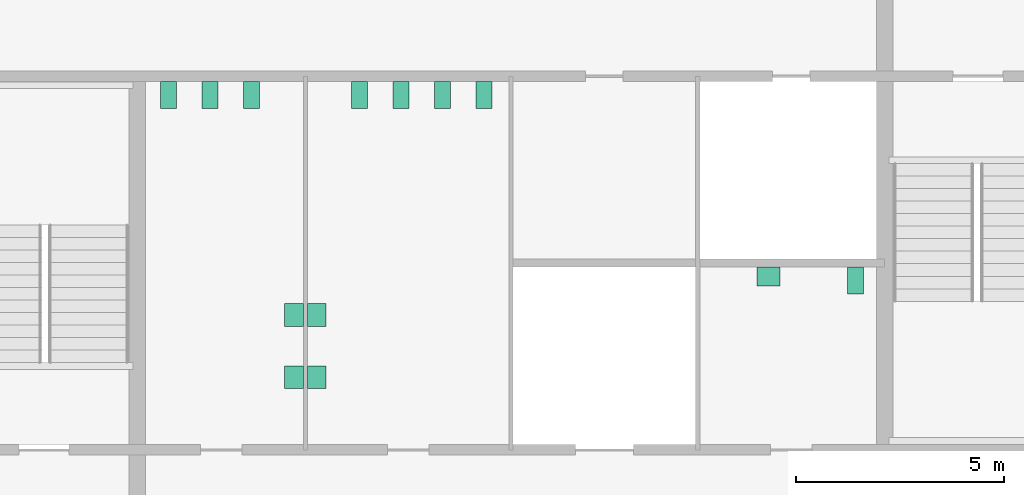
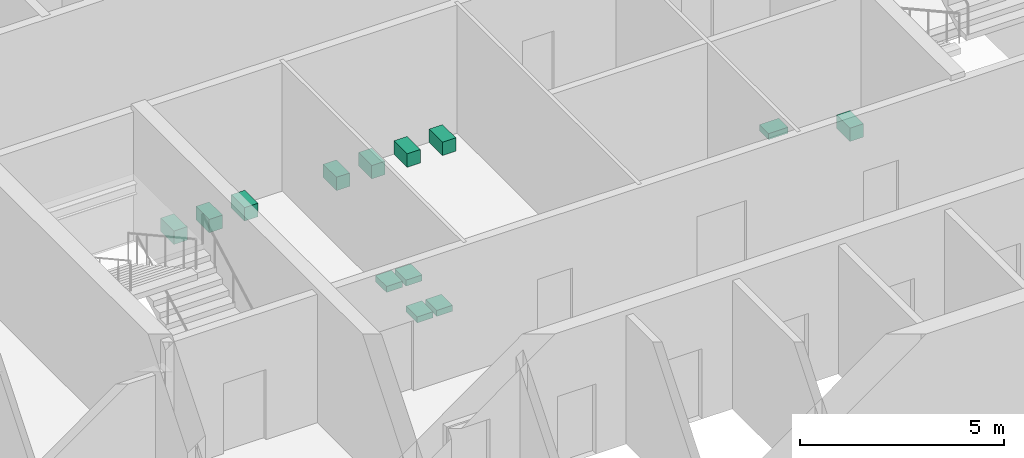
# One storey, part 12 of 12: 13 sanitary terminals.
"""IFC4 building model written with IfcOpenShell, lengths in metres."""

from ifc_helpers import new_model, si_unit, direction, frame, origin, origin_2d, place, context, subcontext, project, spatial, rectangle, extrude, material, type_object, element, save


model = new_model("IFC4")

# Units and contexts
model_context = context("Model", 3, precision=1e-05, world=origin(), true_north=direction((0.0, 1.0)))
body_context = subcontext(model_context, "Body", "Model", "MODEL_VIEW")
ifc_project = project(units=[si_unit("LENGTHUNIT", "METRE"), si_unit("AREAUNIT", "SQUARE_METRE"), si_unit("VOLUMEUNIT", "CUBIC_METRE"), si_unit("PLANEANGLEUNIT", "RADIAN"), si_unit("MASSUNIT", "GRAM", prefix="KILO")], contexts=[model_context])

# Site, building, storey
site_placement = place(None, origin())
site = spatial("IfcSite", under=ifc_project, at=site_placement, CompositionType="ELEMENT")
building_placement = place(site_placement, origin())
building = spatial("IfcBuilding", under=site, at=building_placement, Name="Corais Broadcast Tower", CompositionType="ELEMENT")
storey_placement = place(building_placement, frame((0.0, 0.0, 115.60009765625)))
storey = spatial("IfcBuildingStorey", under=building, at=storey_placement, Name="L25", CompositionType="ELEMENT", Elevation=115.60009765625)

# Sanitary terminals
ifc_material_1 = material(Name="Vitreous china", Category="ceramic")
sanitary_terminal_type_1 = type_object("IfcSanitaryTerminalType", Name="WC pan 380x650", PredefinedType="TOILETPAN", material=ifc_material_1)
for number, where, z_axis, x_axis, name in (
    (1, (18.75, 31.050048828125, 0.0), (0.0, 0.0, 1.0), (1.0, 0.0, 0.0), "SW1 WC pan, male toilets L25"),
    (2, (19.75, 31.050048828125, 0.0), (0.0, 0.0, 1.0), (1.0, 0.0, 0.0), "SW1 WC pan, male toilets L25"),
    (3, (20.75, 31.050048828125, 0.0), (0.0, 0.0, 1.0), (1.0, 0.0, 0.0), "SW1 WC pan, male toilets L25"),
    (4, (23.35009765625, 31.050048828125, 0.0), (0.0, 0.0, 1.0), (1.0, 0.0, 0.0), "SW1 WC pan, female toilets L25"),
    (5, (24.35009765625, 31.050048828125, 0.0), (0.0, 0.0, 1.0), (1.0, 0.0, 0.0), "SW1 WC pan, female toilets L25"),
    (6, (25.35009765625, 31.050048828125, 0.0), (0.0, 0.0, 1.0), (1.0, 0.0, 0.0), "SW1 WC pan, female toilets L25"),
    (7, (26.35009765625, 31.050048828125, 0.0), (0.0, 0.0, 1.0), (1.0, 0.0, 0.0), "SW1 WC pan, female toilets L25"),
    (8, (35.300048828125, 26.574951171875, 0.0), (0.0, 0.0, 1.0), (1.0, 0.0, 0.0), "SW1 WC pan, accessible WC L25"),
):
    element("IfcSanitaryTerminal", number, at=place(storey_placement, frame(where, z_axis=z_axis, x_axis=x_axis)), inside=storey, type_object=sanitary_terminal_type_1, Name=name, PredefinedType="TOILETPAN", context=body_context, shape_type="SweptSolid", body=[
        extrude(rectangle(XDim=0.3798828125, YDim=0.64990234375, at=origin_2d()), origin(), (0.0, 0.0, 1.0), 0.39990234375),
    ])
ifc_material_2 = material(Name="Vitreous china", Category="ceramic")
sanitary_terminal_type_2 = type_object("IfcSanitaryTerminalType", Name="Wash basin 550x450", PredefinedType="WASHHANDBASIN", material=ifc_material_2)
for number, where, z_axis, x_axis, name in (
    (9, (21.77490234375, 24.25, 0.69970703125), (0.0, 0.0, 1.0), (1.0, 0.0, 0.0), "WB1 wash basin, male toilets L25"),
    (10, (21.77490234375, 25.75, 0.69970703125), (0.0, 0.0, 1.0), (1.0, 0.0, 0.0), "WB1 wash basin, male toilets L25"),
    (11, (22.324951171875, 24.25, 0.69970703125), (0.0, 0.0, 1.0), (1.0, 0.0, 0.0), "WB1 wash basin, female toilets L25"),
    (12, (22.324951171875, 25.75, 0.69970703125), (0.0, 0.0, 1.0), (1.0, 0.0, 0.0), "WB1 wash basin, female toilets L25"),
):
    element("IfcSanitaryTerminal", number, at=place(storey_placement, frame(where, z_axis=z_axis, x_axis=x_axis)), inside=storey, type_object=sanitary_terminal_type_2, Name=name, PredefinedType="WASHHANDBASIN", context=body_context, shape_type="SweptSolid", body=[
        extrude(rectangle(XDim=0.449951171875, YDim=0.550048828125, at=origin_2d()), origin(), (0.0, 0.0, 1.0), 0.179931640625),
    ])
sanitary_terminal_placement = place(storey_placement, frame((33.199951171875, 26.675048828125, 0.69970703125), z_axis=(0.0, 0.0, 1.0), x_axis=(1.0, 0.0, 0.0)))
element("IfcSanitaryTerminal", 13, at=sanitary_terminal_placement, inside=storey, type_object=sanitary_terminal_type_2, Name="WB1 wash basin, accessible WC L25", PredefinedType="WASHHANDBASIN", context=body_context, shape_type="SweptSolid", body=[
    extrude(rectangle(XDim=0.550048828125, YDim=0.449951171875, at=origin_2d()), origin(), (0.0, 0.0, 1.0), 0.179931640625),
])

save(model, "model.ifc")
